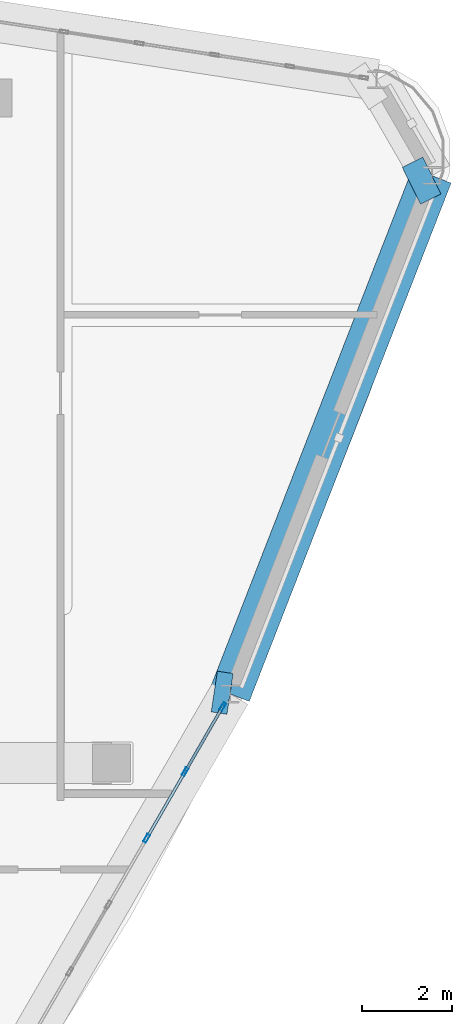
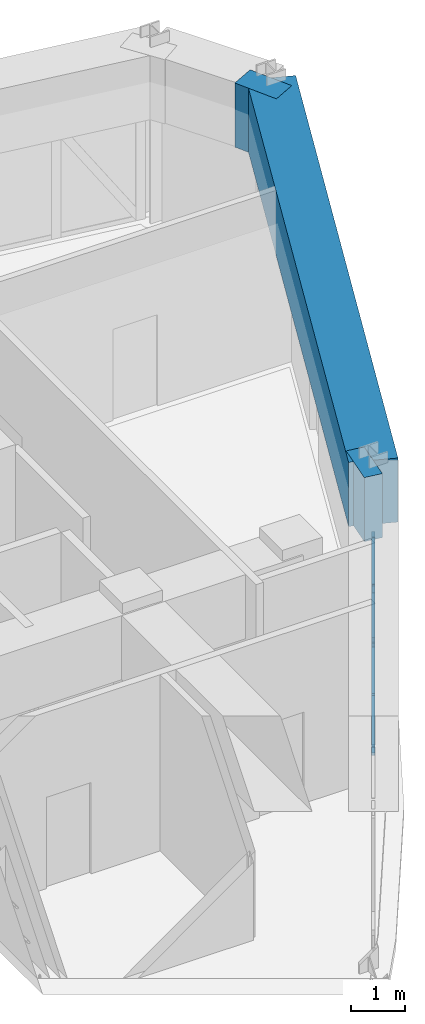
# One storey, part 7 of 16: 8 members, 3 beams, 1 element without a shape of its own.
"""IFC4 building model written with IfcOpenShell, lengths in metres."""

from ifc_helpers import new_model, si_unit, derived_unit, direction, frame, origin, origin_2d, place, context, subcontext, project, spatial, rectangle, hollow_rectangle, extrude, source, transform, mapped, material, layer, layer_set, material_profile, profile_set, type_object, element, aggregate, save


model = new_model("IFC4")

# Units and contexts
model_context = context("Model", 3, precision=1e-05, world=origin(), true_north=direction((0.0, 1.0)))
body_context = subcontext(model_context, "Body", "Model", "MODEL_VIEW")
ifc_project = project(units=[si_unit("LENGTHUNIT", "METRE"), si_unit("AREAUNIT", "SQUARE_METRE"), si_unit("VOLUMEUNIT", "CUBIC_METRE"), si_unit("PLANEANGLEUNIT", "RADIAN"), si_unit("MASSUNIT", "GRAM", prefix="KILO"), derived_unit("THERMALTRANSMITTANCEUNIT", [(si_unit("POWERUNIT", "WATT"), 1), (si_unit("LENGTHUNIT", "METRE"), -2), (si_unit("THERMODYNAMICTEMPERATUREUNIT", "KELVIN"), -1)])], contexts=[model_context])

# Site, building, storey
site_placement = place(None, origin())
site = spatial("IfcSite", under=ifc_project, at=site_placement, CompositionType="ELEMENT")
building_placement = place(site_placement, origin())
building = spatial("IfcBuilding", under=site, at=building_placement, Name="Korsvarv Bourse and Concert Hall", CompositionType="ELEMENT")
storey_placement = place(building_placement, frame((0.0, 0.0, 283.800048828125)))
storey = spatial("IfcBuildingStorey", under=building, at=storey_placement, Name="L74", CompositionType="ELEMENT", Elevation=283.800048828125)

# Beams
ifc_material_1 = material(Name="Concrete C50/60", Category="concrete")
ifc_material_profile_1 = material_profile(ifc_material_1, rectangle(XDim=0.919921875, YDim=1.43994140625, at=origin_2d()), Name="RC-BM 920x1440")
ifc_profile_set_1 = profile_set([ifc_material_profile_1], Name="Concrete C50/60")
beam_type = type_object("IfcBeamType", Name="BM-TR-144", PredefinedType="BEAM", material=ifc_profile_set_1)
shared_shape_1 = source(origin(), body_context, "Body", "SweptSolid", [
    extrude(rectangle(XDim=0.919921875, YDim=1.43994140625, at=origin_2d()), origin(), (0.0, 0.0, 1.0), 0.510498046875),
])
beam_1_placement = place(storey_placement, frame((54.94873046875, 45.513916015625, 3.239990234375), z_axis=(-0.895857489592, -0.444341488431, 0.0), x_axis=(0.444341488431, -0.895857489592, 0.0)))
element("IfcBeam", 1, at=beam_1_placement, inside=storey, type_object=beam_type, Name="L74 beam B-TR4", PredefinedType="BEAM", context=body_context, shape_type="MappedRepresentation", body=[
    mapped(shared_shape_1, transform((0.0, 0.0, 0.0), scale=1.0)),
])
shared_shape_2 = source(origin(), body_context, "Body", "SweptSolid", [
    extrude(rectangle(XDim=0.919921875, YDim=1.43994140625, at=origin_2d()), origin(), (0.0, 0.0, 1.0), 0.3564453125),
])
beam_2_placement = place(storey_placement, frame((50.4423828125, 33.943115234375, 3.239990234375), z_axis=(-0.988576712642, 0.150718556328, 0.0), x_axis=(-0.150718556328, -0.988576712642, 0.0)))
element("IfcBeam", 2, at=beam_2_placement, inside=storey, type_object=beam_type, Name="L74 beam B-TR4", PredefinedType="BEAM", context=body_context, shape_type="MappedRepresentation", body=[
    mapped(shared_shape_2, transform((0.0, 0.0, 0.0), scale=1.0)),
])
shared_shape_3 = source(origin(), body_context, "Body", "SweptSolid", [
    extrude(rectangle(XDim=0.919921875, YDim=1.43994140625, at=origin_2d()), origin(), (0.0, 0.0, 1.0), 12.417236328125),
])
beam_3_placement = place(storey_placement, frame((50.4423828125, 33.943115234375, 3.239990234375), z_axis=(0.362907333701, 0.931825234229, 0.0), x_axis=(-0.931825234229, 0.362907333701, 0.0)))
element("IfcBeam", 3, at=beam_3_placement, inside=storey, type_object=beam_type, Name="L74 beam B-TR4", PredefinedType="BEAM", context=body_context, shape_type="MappedRepresentation", body=[
    mapped(shared_shape_3, transform((0.0, 0.0, 0.0), scale=1.0)),
])

# Curtain wall, members
ifc_material_2 = material(Name="Anodised aluminium and triple low-E glazing", Category="glass")
ifc_layer = layer(ifc_material_2, 0.18994140625)
ifc_layer_set = layer_set([ifc_layer], Name="Anodised aluminium and triple low-E glazing")
curtain_wall_type = type_object("IfcCurtainWallType", Name="CW-SYS-4", PredefinedType="NOTDEFINED", material=ifc_layer_set)
curtain_wall_placement = place(storey_placement, origin())
curtain_wall = element("IfcCurtainWall", 4, at=curtain_wall_placement, inside=storey, type_object=curtain_wall_type, Name="L74 CW4 curtain wall CW-L74-F11", PredefinedType="NOTDEFINED")
ifc_material_3 = material(Name="Extruded aluminium EN AW-6063 T66", Category="aluminium")
ifc_material_profile_2 = material_profile(ifc_material_3, hollow_rectangle(XDim=0.070068359375, YDim=0.18994140625, WallThickness=0.0048828125, at=origin_2d()), Name="ALU-M 70x190")
ifc_profile_set_2 = profile_set([ifc_material_profile_2], Name="Extruded aluminium EN AW-6063 T66")
member_type_1 = type_object("IfcMemberType", Name="CWM-190", PredefinedType="MULLION", material=ifc_profile_set_2)
shared_shape_4 = source(origin(), body_context, "Body", "SweptSolid", [
    extrude(hollow_rectangle(XDim=0.070068359375, YDim=0.18994140625, WallThickness=0.0048828125, at=origin_2d()), origin(), (0.0, 0.0, 1.0), 2.52001953125),
])
member_1_placement = place(storey_placement, frame((48.5810546875, 30.71923828125, 0.0), z_axis=(0.0, 0.0, 1.0), x_axis=(-0.866027681029, 0.499996055676, 0.0)))
member_1 = element("IfcMember", 5, at=member_1_placement, type_object=member_type_1, Name="CW4 mullion 5", PredefinedType="MULLION", context=body_context, shape_type="MappedRepresentation", body=[
    mapped(shared_shape_4, transform((0.0, 0.0, 0.0), scale=1.0)),
])
member_2_placement = place(storey_placement, frame((49.439697265625, 32.206298828125, 0.0), z_axis=(0.0, 0.0, 1.0), x_axis=(-0.866027681029, 0.499996055676, 0.0)))
member_2 = element("IfcMember", 6, at=member_2_placement, type_object=member_type_1, Name="CW4 mullion 6", PredefinedType="MULLION", context=body_context, shape_type="MappedRepresentation", body=[
    mapped(shared_shape_4, transform((0.0, 0.0, 0.0), scale=1.0)),
])
member_3_placement = place(storey_placement, frame((50.28076171875, 33.663330078125, 0.0), z_axis=(0.0, 0.0, 1.0), x_axis=(-0.866027681029, 0.499996055676, 0.0)))
member_3 = element("IfcMember", 7, at=member_3_placement, type_object=member_type_1, Name="CW4 mullion 7", PredefinedType="MULLION", context=body_context, shape_type="MappedRepresentation", body=[
    mapped(shared_shape_4, transform((0.0, 0.0, 0.0), scale=1.0)),
])
ifc_material_profile_3 = material_profile(ifc_material_3, hollow_rectangle(XDim=0.06494140625, YDim=0.139892578125, WallThickness=0.00390625, at=origin_2d()), Name="ALU-T 65x140")
ifc_profile_set_3 = profile_set([ifc_material_profile_3], Name="Extruded aluminium EN AW-6063 T66")
member_type_2 = type_object("IfcMemberType", Name="CWT-140", PredefinedType="USERDEFINED", material=ifc_profile_set_3)
shared_shape_5 = source(origin(), body_context, "Body", "SweptSolid", [
    extrude(hollow_rectangle(XDim=0.06494140625, YDim=0.139892578125, WallThickness=0.00390625, at=origin_2d()), origin(), (0.0, 0.0, 1.0), 1.612060546875),
])
member_4_placement = place(storey_placement, frame((49.457275390625, 32.23681640625, 0.032470703125), z_axis=(0.49990161533, 0.866082198749, 0.0), x_axis=(-0.866082198749, 0.49990161533, 0.0)))
member_4 = element("IfcMember", 8, at=member_4_placement, type_object=member_type_2, Name="CW4 transom 6.1", ObjectType="TRANSOM", PredefinedType="USERDEFINED", context=body_context, shape_type="MappedRepresentation", body=[
    mapped(shared_shape_5, transform((0.0, 0.0, 0.0), scale=1.0)),
])
member_5_placement = place(storey_placement, frame((49.457275390625, 32.23681640625, 2.487548828125), z_axis=(0.49990161533, 0.866082198749, 0.0), x_axis=(-0.866082198749, 0.49990161533, 0.0)))
member_5 = element("IfcMember", 9, at=member_5_placement, type_object=member_type_2, Name="CW4 transom 6.2", ObjectType="TRANSOM", PredefinedType="USERDEFINED", context=body_context, shape_type="MappedRepresentation", body=[
    mapped(shared_shape_5, transform((0.0, 0.0, 0.0), scale=1.0)),
])
shared_shape_6 = source(origin(), body_context, "Body", "SweptSolid", [
    extrude(hollow_rectangle(XDim=0.06494140625, YDim=0.139892578125, WallThickness=0.00390625, at=origin_2d()), origin(), (0.0, 0.0, 1.0), 1.647216796875),
])
member_6_placement = place(storey_placement, frame((48.5986328125, 30.74951171875, 0.032470703125), z_axis=(0.499949127178, 0.86605477323, 0.0), x_axis=(-0.86605477323, 0.499949127178, 0.0)))
member_6 = element("IfcMember", 10, at=member_6_placement, type_object=member_type_2, Name="CW4 transom 5.1", ObjectType="TRANSOM", PredefinedType="USERDEFINED", context=body_context, shape_type="MappedRepresentation", body=[
    mapped(shared_shape_6, transform((0.0, 0.0, 0.0), scale=1.0)),
])
member_7_placement = place(storey_placement, frame((48.5986328125, 30.74951171875, 2.487548828125), z_axis=(0.499949127178, 0.86605477323, 0.0), x_axis=(-0.86605477323, 0.499949127178, 0.0)))
member_7 = element("IfcMember", 11, at=member_7_placement, type_object=member_type_2, Name="CW4 transom 5.2", ObjectType="TRANSOM", PredefinedType="USERDEFINED", context=body_context, shape_type="MappedRepresentation", body=[
    mapped(shared_shape_6, transform((0.0, 0.0, 0.0), scale=1.0)),
])
ifc_material_profile_4 = material_profile(ifc_material_3, hollow_rectangle(XDim=0.06494140625, YDim=0.1650390625, WallThickness=0.0048828125, at=origin_2d()), Name="ALU-M 65x165")
ifc_profile_set_4 = profile_set([ifc_material_profile_4], Name="Extruded aluminium EN AW-6063 T66")
member_type_3 = type_object("IfcMemberType", Name="CWM-165", PredefinedType="MULLION", material=ifc_profile_set_4)
shared_shape_7 = source(origin(), body_context, "Body", "SweptSolid", [
    extrude(hollow_rectangle(XDim=0.06494140625, YDim=0.1650390625, WallThickness=0.0048828125, at=origin_2d()), origin(), (0.0, 0.0, 1.0), 2.8828125),
])
member_8_placement = place(storey_placement, frame((50.26318359375, 33.633056640625, 0.06494140625), z_axis=(-0.279557016022, -0.484334012308, 0.829016549482), x_axis=(0.866082198749, -0.49990161533, 0.0)))
member_8 = element("IfcMember", 12, at=member_8_placement, type_object=member_type_3, Name="CW4 diagonal mullion 6", PredefinedType="MULLION", context=body_context, shape_type="MappedRepresentation", body=[
    mapped(shared_shape_7, transform((0.0, 0.0, 0.0), scale=1.0)),
])
aggregate(curtain_wall, [member_1, member_2, member_3, member_6, member_7, member_4, member_5, member_8])

save(model, "model.ifc")
